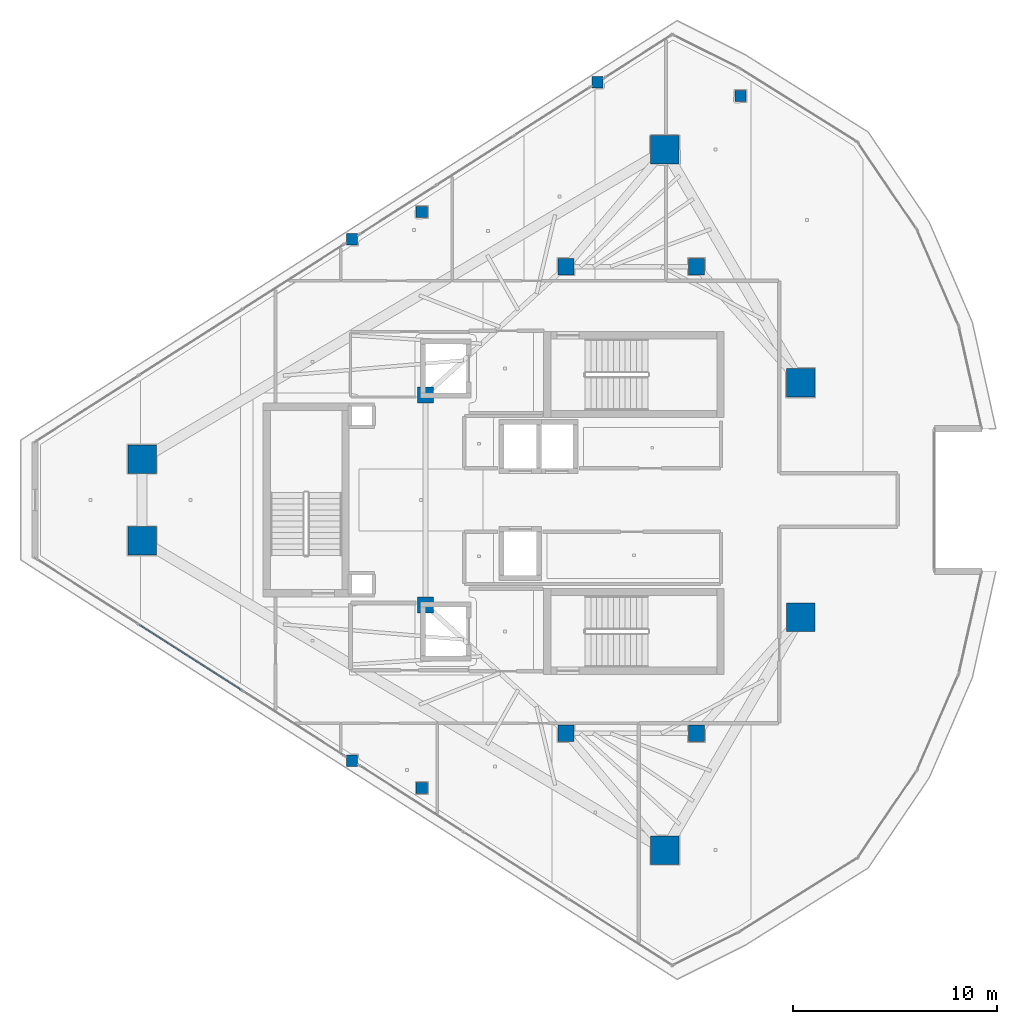
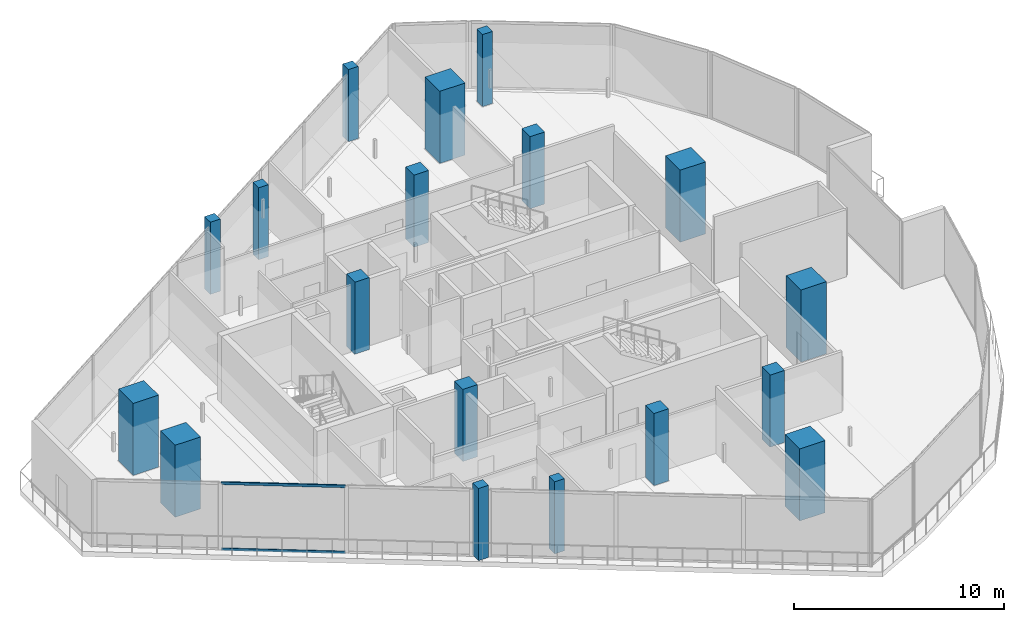
# One storey, part 1 of 25: 18 columns, 2 members, 1 element without a shape of its own.
"""IFC4 building model written with IfcOpenShell, lengths in metres."""

import ifcopenshell
import ifcopenshell.guid

model = None  # the IFC model being written
_history = None  # IfcOwnerHistory: only IFC2X3 demands one
_inside = {}  # id of a spatial element -> (the spatial element, [elements in it])
_under = {}  # id of a project, library or spatial element -> (it, [spatial elements below it])
_declared = {}  # id of a project -> (the project, [libraries it declares])
_typed = {}  # id of a type object -> (the type object, [elements of that type])
_made_of = {}  # id of a material, layer set ... -> (it, [elements and type objects made of it])


def new_model(schema):
    """Start an empty IFC model of exactly this schema.

    Asked for "IFC4X3", IfcOpenShell would pick the latest addendum, in which some entities
    have other attributes; the version numbers below select the first issue.
    IFC2X3 requires an IfcOwnerHistory on every rooted entity: one is made here for all.
    """
    global model, _history
    if schema == "IFC4X3":
        model = ifcopenshell.file(schema_version=(4, 3, 0, 0))
    else:
        model = ifcopenshell.file(schema=schema)
    _inside.clear()
    _under.clear()
    _declared.clear()
    _typed.clear()
    _made_of.clear()
    _history = None
    if model.schema == "IFC2X3":
        org = make("IfcOrganization", Name="unknown")
        user = make(
            "IfcPersonAndOrganization",
            ThePerson=make("IfcPerson", FamilyName="unknown"),
            TheOrganization=org,
        )
        app = make(
            "IfcApplication",
            ApplicationDeveloper=org,
            Version="unknown",
            ApplicationFullName="unknown",
            ApplicationIdentifier="unknown",
        )
        _history = make(
            "IfcOwnerHistory",
            OwningUser=user,
            OwningApplication=app,
            ChangeAction="ADDED",
            CreationDate=0,
        )
    return model


def make(cls, **values):
    """One entity of the class cls with the attributes given. An attribute that is None is left unset."""
    return model.create_entity(
        cls, **{name: value for name, value in values.items() if value is not None}
    )


def rooted(cls, **values):
    """An entity with a GlobalId (a new one), such as an element, a storey or a relation."""
    return make(cls, GlobalId=ifcopenshell.guid.new(), OwnerHistory=_history, **values)


def si_unit(unit_type, name, prefix=None):
    """IfcSIUnit, for example si_unit("LENGTHUNIT", "METRE", prefix="MILLI")."""
    return make("IfcSIUnit", UnitType=unit_type, Prefix=prefix, Name=name)


def assignment(units):
    """IfcUnitAssignment: the units of a project."""
    return None if units is None else make("IfcUnitAssignment", Units=units)


def point(xyz):
    """IfcCartesianPoint."""
    return None if xyz is None else make("IfcCartesianPoint", Coordinates=xyz)


def direction(xyz):
    """IfcDirection."""
    return None if xyz is None else make("IfcDirection", DirectionRatios=xyz)


def frame(location, z_axis=None, x_axis=None):
    """IfcAxis2Placement3D, a coordinate frame: its origin and axes. An axis left out is left unset."""
    return make(
        "IfcAxis2Placement3D",
        Location=point(location),
        Axis=direction(z_axis),
        RefDirection=direction(x_axis),
    )


def frame_2d(location, x_axis=None):
    """IfcAxis2Placement2D, a coordinate frame in the plane: its origin and x axis."""
    return make(
        "IfcAxis2Placement2D", Location=point(location), RefDirection=direction(x_axis)
    )


def origin():
    """The frame at (0, 0, 0) with its axes left unset."""
    return frame((0.0, 0.0, 0.0))


def origin_2d():
    """The frame at (0, 0) in the plane with its x axis left unset."""
    return frame_2d((0.0, 0.0))


def place(relative_to, where):
    """IfcLocalPlacement: puts the frame where relative to a parent placement (None: the world)."""
    return make(
        "IfcLocalPlacement", PlacementRelTo=relative_to, RelativePlacement=where
    )


def context(
    kind, dimensions, precision=None, world=None, true_north=None, identifier=None
):
    """IfcGeometricRepresentationContext, for example the 3D "Model" context."""
    return make(
        "IfcGeometricRepresentationContext",
        ContextIdentifier=identifier,
        ContextType=kind,
        CoordinateSpaceDimension=dimensions,
        Precision=precision,
        WorldCoordinateSystem=world,
        TrueNorth=true_north,
    )


def subcontext(parent, identifier, kind, view, scale=None):
    """IfcGeometricRepresentationSubContext, for example "Body" below "Model"."""
    return make(
        "IfcGeometricRepresentationSubContext",
        ContextIdentifier=identifier,
        ContextType=kind,
        ParentContext=parent,
        TargetScale=scale,
        TargetView=view,
    )


def project(units=None, contexts=None):
    """IfcProject with its units and contexts."""
    return rooted(
        "IfcProject",
        Name="project",
        RepresentationContexts=contexts,
        UnitsInContext=assignment(units),
    )


def spatial(cls, under=None, at=None, **own):
    """A site, building, storey or space (cls), placed at a placement, below another one or the project."""
    s = rooted(cls, ObjectPlacement=at, **own)
    if under is not None:
        _under.setdefault(under.id(), (under, []))[1].append(s)
    return s


def profile(cls, at=None, kind="AREA", **sizes):
    """A parametric profile (cls). Its sizes go by their IFC names, for example OverallWidth=200.0."""
    return make(cls, ProfileType=kind, Position=at, **sizes)


def rectangle(**sizes):
    """IfcRectangleProfileDef."""
    return profile("IfcRectangleProfileDef", **sizes)


def hollow_rectangle(**sizes):
    """IfcRectangleHollowProfileDef."""
    return profile("IfcRectangleHollowProfileDef", **sizes)


def extrude(swept, where, along, depth):
    """IfcExtrudedAreaSolid: the profile swept, set in the frame where, extruded along a direction by depth."""
    return make(
        "IfcExtrudedAreaSolid",
        SweptArea=swept,
        Position=where,
        ExtrudedDirection=direction(along),
        Depth=depth,
    )


def shape(context_of_items, identifier, shape_type, items):
    """IfcShapeRepresentation: the items that make up one representation, for example the "Body"."""
    return make(
        "IfcShapeRepresentation",
        ContextOfItems=context_of_items,
        RepresentationIdentifier=identifier,
        RepresentationType=shape_type,
        Items=items,
    )


def material(Name=None, Category=None):
    """IfcMaterial."""
    return make("IfcMaterial", Name=Name, Category=Category)


def layer(
    of_material, thickness, ventilated=None, Name=None, Category=None, Priority=None
):
    """IfcMaterialLayer: one layer of a wall or slab, of a material (None: an air gap)."""
    return make(
        "IfcMaterialLayer",
        Material=of_material,
        LayerThickness=thickness,
        IsVentilated=ventilated,
        Name=Name,
        Category=Category,
        Priority=Priority,
    )


def layer_set(layers, Name=None):
    """IfcMaterialLayerSet."""
    return make("IfcMaterialLayerSet", MaterialLayers=layers, LayerSetName=Name)


def material_profile(
    of_material, cross_section, Name=None, Category=None, Priority=None
):
    """IfcMaterialProfile: a cross section and its material."""
    return make(
        "IfcMaterialProfile",
        Name=Name,
        Material=of_material,
        Profile=cross_section,
        Priority=Priority,
        Category=Category,
    )


def profile_set(profiles, Name=None, composite=None):
    """IfcMaterialProfileSet."""
    return make(
        "IfcMaterialProfileSet",
        Name=Name,
        MaterialProfiles=profiles,
        CompositeProfile=composite,
    )


def made_of(thing, what):
    """Note that an element or type object is made of a material, layer set ...; save() writes the relation."""
    if what is not None:
        _made_of.setdefault(what.id(), (what, []))[1].append(thing)
    return thing


def type_object(cls, material=None, **own):
    """A type object (cls), such as IfcWallType, which elements share."""
    return made_of(rooted(cls, **own), material)


def element(
    cls,
    number,
    at=None,
    inside=None,
    cuts=None,
    type_object=None,
    material=None,
    context=None,
    identifier="Body",
    shape_type=None,
    held_by="IfcProductDefinitionShape",
    body=None,
    shapes=None,
    **own,
):
    """One element of the class cls, such as IfcWall. Its Tag is "e" and its number.

    at: its placement. inside: the storey or other place that contains it. cuts: it is an
    opening in that element (IfcRelVoidsElement). A single representation is given by context,
    identifier, shape_type and body (its items); several are given by shapes. held_by: the class
    of the entity that holds the representations. save() writes the other relations.
    """
    e = rooted(cls, Tag="e%d" % number, ObjectPlacement=at, **own)
    if body is not None:
        shapes = [shape(context, identifier, shape_type, body)]
    if shapes is not None:
        e.Representation = make(held_by, Representations=shapes)
    if inside is not None:
        _inside.setdefault(inside.id(), (inside, []))[1].append(e)
    if cuts is not None:
        rooted(
            "IfcRelVoidsElement", RelatingBuildingElement=cuts, RelatedOpeningElement=e
        )
    if type_object is not None:
        _typed.setdefault(type_object.id(), (type_object, []))[1].append(e)
    return made_of(e, material)


def aggregate(whole, parts):
    """IfcRelAggregates: a whole, such as a stair, and the parts it consists of."""
    return rooted("IfcRelAggregates", RelatingObject=whole, RelatedObjects=parts)


def save(model, path):
    """Write the relations noted so far, then the file.

    IfcRelAggregates (storeys below a building ...), IfcRelContainedInSpatialStructure (elements
    in a storey), IfcRelDefinesByType, IfcRelAssociatesMaterial and IfcRelDeclares: one each for
    every whole, place, type object, material and project.
    """
    for whole, parts in _under.values():
        aggregate(whole, parts)
    for where, things in _inside.values():
        rooted(
            "IfcRelContainedInSpatialStructure",
            RelatedElements=things,
            RelatingStructure=where,
        )
    for kind, things in _typed.values():
        rooted("IfcRelDefinesByType", RelatedObjects=things, RelatingType=kind)
    for what, things in _made_of.values():
        rooted("IfcRelAssociatesMaterial", RelatedObjects=things, RelatingMaterial=what)
    for by, libraries in _declared.values():
        rooted("IfcRelDeclares", RelatingContext=by, RelatedDefinitions=libraries)
    model.write(path)


model = new_model("IFC4")

# Units and contexts
model_context = context("Model", 3, precision=1e-05, world=origin(), true_north=direction((0.0, 1.0)))
body_context = subcontext(model_context, "Body", "Model", "MODEL_VIEW")
ifc_project = project(units=[si_unit("LENGTHUNIT", "METRE"), si_unit("AREAUNIT", "SQUARE_METRE"), si_unit("VOLUMEUNIT", "CUBIC_METRE"), si_unit("PLANEANGLEUNIT", "RADIAN"), si_unit("MASSUNIT", "GRAM", prefix="KILO")], contexts=[model_context])

# Site, building, storey
site_placement = place(None, origin())
site = spatial("IfcSite", under=ifc_project, at=site_placement, CompositionType="ELEMENT")
building_placement = place(site_placement, origin())
building = spatial("IfcBuilding", under=site, at=building_placement, Name="Qorvath Tower", CompositionType="ELEMENT")
storey_placement = place(building_placement, frame((0.0, 0.0, 297.60009765625)))
storey = spatial("IfcBuildingStorey", under=building, at=storey_placement, Name="L69", CompositionType="ELEMENT", Elevation=297.60009765625)

# Columns
ifc_material_1 = material(Name="Concrete C50/60", Category="concrete")
ifc_material_profile_1 = material_profile(ifc_material_1, rectangle(XDim=1.39990234375, YDim=1.39990234375, at=origin_2d()), Name="MC 1400x1400")
ifc_profile_set_1 = profile_set([ifc_material_profile_1], Name="Concrete C50/60")
column_type_1 = type_object("IfcColumnType", Name="COL-MC6", PredefinedType="COLUMN", material=ifc_profile_set_1)
for number, where, z_axis, x_axis, name in (
    (1, (-44.402587890625, 2.007568359375, 0.0), (0.0, 0.0, 1.0), (1.0, 0.0, 0.0), "Composite Mega-Column MC1 L69"),
    (2, (-44.402587890625, -2.007568359375, 0.0), (0.0, 0.0, 1.0), (1.0, 0.0, 0.0), "Composite Mega-Column MC2 L69"),
    (3, (-18.75048828125, -17.175537109375, 0.0), (0.0, 0.0, 1.0), (1.0, 0.0, 0.0), "Composite Mega-Column MC3 L69"),
    (4, (-12.0966796875, -5.7578125, 0.0), (0.0, 0.0, 1.0), (1.0, 0.0, 0.0), "Composite Mega-Column MC4 L69"),
    (5, (-12.0966796875, 5.7578125, 0.0), (0.0, 0.0, 1.0), (1.0, 0.0, 0.0), "Composite Mega-Column MC5 L69"),
    (6, (-18.75048828125, 17.175537109375, 0.0), (0.0, 0.0, 1.0), (1.0, 0.0, 0.0), "Composite Mega-Column MC6 L69"),
):
    element("IfcColumn", number, at=place(storey_placement, frame(where, z_axis=z_axis, x_axis=x_axis)), inside=storey, type_object=column_type_1, Name=name, PredefinedType="COLUMN", context=body_context, shape_type="SweptSolid", body=[
        extrude(rectangle(XDim=1.39990234375, YDim=1.39990234375, at=origin_2d()), origin(), (0.0, 0.0, 1.0), 4.199951171875),
    ])
ifc_material_2 = material(Name="Concrete C50/60", Category="concrete")
ifc_material_profile_2 = material_profile(ifc_material_2, rectangle(XDim=0.800048828125, YDim=0.800048828125, at=origin_2d()), Name="RC 800x800")
ifc_profile_set_2 = profile_set([ifc_material_profile_2], Name="Concrete C50/60")
column_type_2 = type_object("IfcColumnType", Name="COL-RC4", PredefinedType="COLUMN", material=ifc_profile_set_2)
for number, where, z_axis, x_axis, name in (
    (7, (-23.60009765625, 11.449951171875, 0.0), (0.0, 0.0, 1.0), (1.0, 0.0, 0.0), "Core Spine Column CC1 L69"),
    (8, (-17.199951171875, 11.449951171875, 0.0), (0.0, 0.0, 1.0), (1.0, 0.0, 0.0), "Core Spine Column CC2 L69"),
    (9, (-17.199951171875, -11.449951171875, 0.0), (0.0, 0.0, 1.0), (1.0, 0.0, 0.0), "Core Spine Column CC3 L69"),
    (10, (-23.60009765625, -11.449951171875, 0.0), (0.0, 0.0, 1.0), (1.0, 0.0, 0.0), "Core Spine Column CC4 L69"),
    (11, (-30.5, 5.14990234375, 0.0), (0.0, 0.0, 1.0), (1.0, 0.0, 0.0), "Core Spine Column CC5 L69"),
    (12, (-30.5, -5.14990234375, 0.0), (0.0, 0.0, 1.0), (1.0, 0.0, 0.0), "Core Spine Column CC6 L69"),
):
    element("IfcColumn", number, at=place(storey_placement, frame(where, z_axis=z_axis, x_axis=x_axis)), inside=storey, type_object=column_type_2, Name=name, PredefinedType="COLUMN", context=body_context, shape_type="SweptSolid", body=[
        extrude(rectangle(XDim=0.800048828125, YDim=0.800048828125, at=origin_2d()), origin(), (0.0, 0.0, 1.0), 4.199951171875),
    ])
ifc_material_3 = material(Name="Concrete C45/55", Category="concrete")
ifc_material_profile_3 = material_profile(ifc_material_3, rectangle(XDim=0.550048828125, YDim=0.550048828125, at=origin_2d()), Name="RC 550x550")
ifc_profile_set_3 = profile_set([ifc_material_profile_3], Name="Concrete C45/55")
column_type_3 = type_object("IfcColumnType", Name="COL-RC7", PredefinedType="COLUMN", material=ifc_profile_set_3)
for number, where, z_axis, x_axis, name in (
    (13, (-34.104248046875, 12.79248046875, 0.0), (0.0, 0.0, 1.0), (1.0, 0.0, 0.0), "Loggia Frame Pier Column LGG1 L69"),
    (14, (-34.104248046875, -12.79248046875, 0.0), (0.0, 0.0, 1.0), (1.0, 0.0, 0.0), "Loggia Frame Pier Column LGG2 L69"),
    (15, (-22.05322265625, 20.494873046875, 0.0), (0.0, 0.0, 1.0), (1.0, 0.0, 0.0), "Loggia Frame Pier Column LGG3 L69"),
    (16, (-30.67724609375, 14.124267578125, 0.0), (0.0, 0.0, 1.0), (1.0, 0.0, 0.0), "Loggia Frame Pier Column LGH1 L69"),
    (17, (-30.67724609375, -14.124267578125, 0.0), (0.0, 0.0, 1.0), (1.0, 0.0, 0.0), "Loggia Frame Pier Column LGH2 L69"),
    (18, (-15.046142578125, 19.818115234375, 0.0), (0.0, 0.0, 1.0), (1.0, 0.0, 0.0), "Loggia Frame Pier Column LGH3 L69"),
):
    element("IfcColumn", number, at=place(storey_placement, frame(where, z_axis=z_axis, x_axis=x_axis)), inside=storey, type_object=column_type_3, Name=name, PredefinedType="COLUMN", context=body_context, shape_type="SweptSolid", body=[
        extrude(rectangle(XDim=0.550048828125, YDim=0.550048828125, at=origin_2d()), origin(), (0.0, 0.0, 1.0), 4.199951171875),
    ])

# Curtain wall, members
ifc_material_4 = material(Name="Anodised aluminium and triple low-E glass", Category="aluminium")
ifc_layer = layer(ifc_material_4, 0.179931640625)
ifc_layer_set = layer_set([ifc_layer], Name="CW-SYS-5")
curtain_wall_type = type_object("IfcCurtainWallType", Name="CW-SYS-5", PredefinedType="NOTDEFINED", material=ifc_layer_set)
curtain_wall_placement = place(storey_placement, origin())
curtain_wall = element("IfcCurtainWall", 19, at=curtain_wall_placement, inside=storey, type_object=curtain_wall_type, Name="Curtain Wall CW-5 CW-T-L69-2.1", PredefinedType="NOTDEFINED")
ifc_material_5 = material(Name="Anodised aluminium 6063-T6", Category="aluminium")
ifc_material_profile_4 = material_profile(ifc_material_5, hollow_rectangle(XDim=0.06494140625, YDim=0.159912109375, WallThickness=0.00341796875, InnerFilletRadius=0.00341796875, OuterFilletRadius=0.007080078125, at=origin_2d()), Name="CWT 160x65")
ifc_profile_set_4 = profile_set([ifc_material_profile_4], Name="Anodised aluminium 6063-T6")
member_type = type_object("IfcMemberType", Name="CWT-160", PredefinedType="USERDEFINED", material=ifc_profile_set_4)
member_1_placement = place(storey_placement, frame((-44.54541015625, -6.119384765625, 0.032470703125), z_axis=(0.842602126192, -0.538536588299, 0.0), x_axis=(0.538536588299, 0.842602126192, 0.0)))
member_1 = element("IfcMember", 20, at=member_1_placement, type_object=member_type, Name="CW-5 transom 2.1", ObjectType="TRANSOM", PredefinedType="USERDEFINED", context=body_context, shape_type="SweptSolid", body=[
    extrude(hollow_rectangle(XDim=0.06494140625, YDim=0.159912109375, WallThickness=0.00341796875, InnerFilletRadius=0.00341796875, OuterFilletRadius=0.007080078125, at=origin_2d()), origin(), (0.0, 0.0, 1.0), 5.94970703125),
])
member_2_placement = place(storey_placement, frame((-44.54541015625, -6.119384765625, 3.87744140625), z_axis=(0.842602126192, -0.538536588299, 0.0), x_axis=(0.538536588299, 0.842602126192, 0.0)))
member_2 = element("IfcMember", 21, at=member_2_placement, type_object=member_type, Name="CW-5 transom 2.2", ObjectType="TRANSOM", PredefinedType="USERDEFINED", context=body_context, shape_type="SweptSolid", body=[
    extrude(hollow_rectangle(XDim=0.06494140625, YDim=0.159912109375, WallThickness=0.00341796875, InnerFilletRadius=0.00341796875, OuterFilletRadius=0.007080078125, at=origin_2d()), origin(), (0.0, 0.0, 1.0), 5.94970703125),
])
aggregate(curtain_wall, [member_1, member_2])

save(model, "model.ifc")
